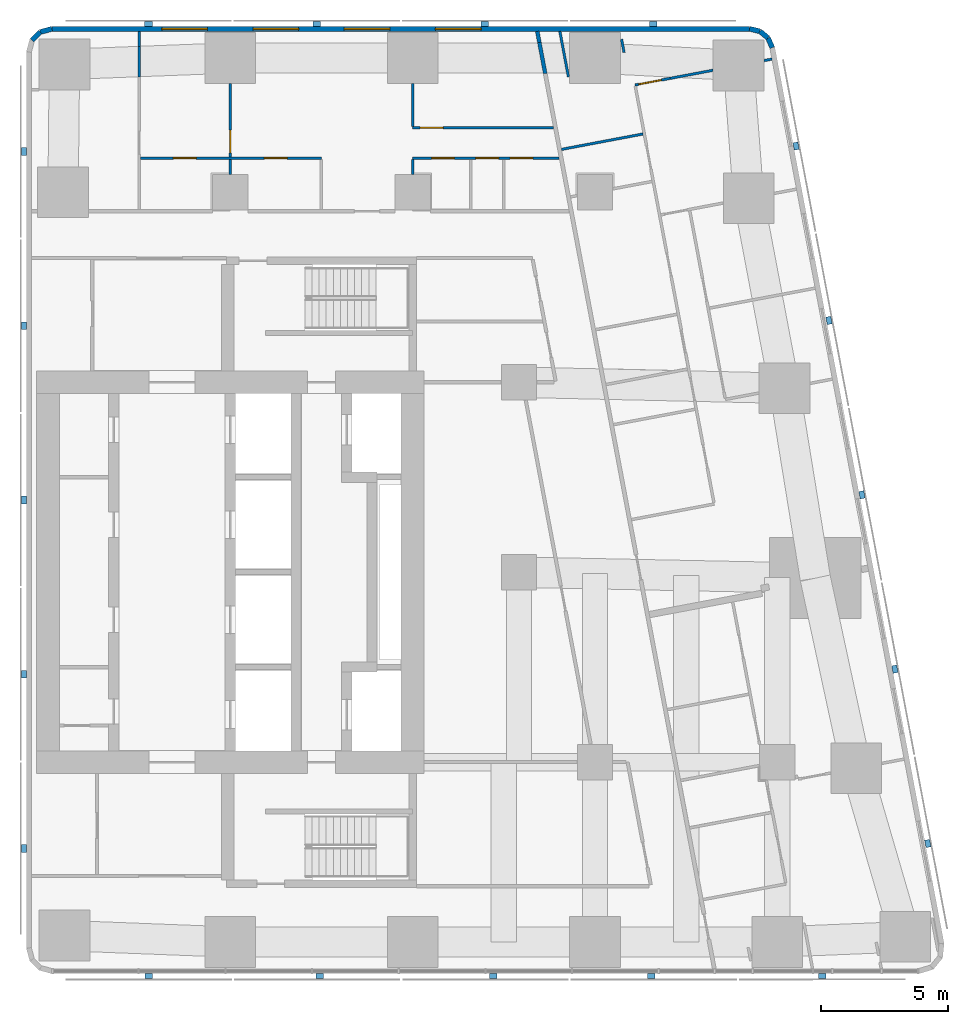
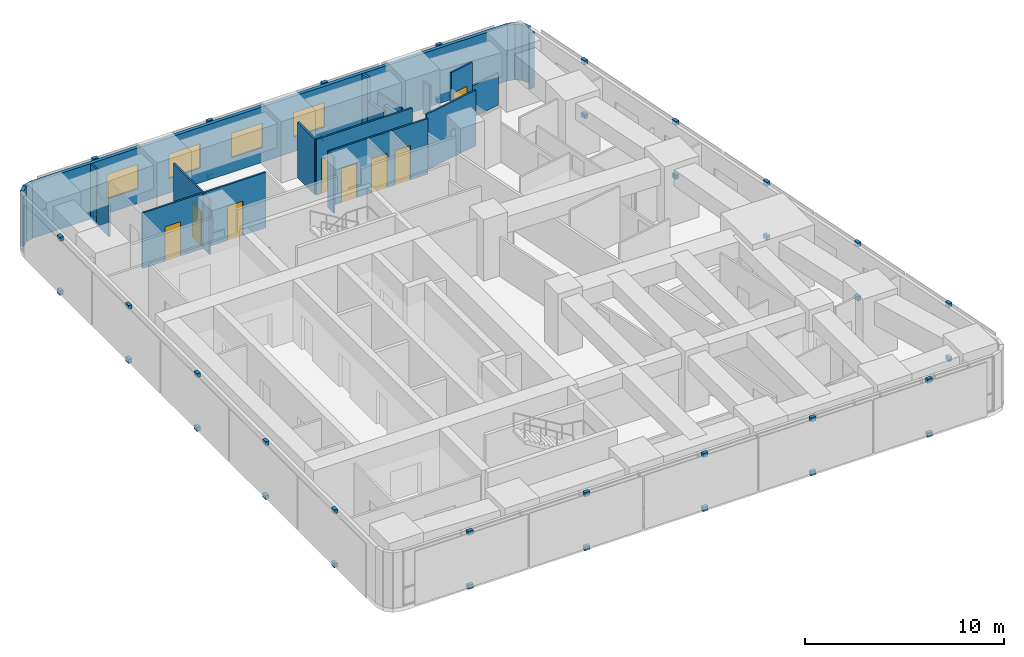
# One storey, part 8 of 10: 38 discrete accessories, 23 walls, 8 doors, 4 windows, 12 openings.
"""IFC4 building model written with IfcOpenShell, lengths in metres."""

from ifc_helpers import new_model, si_unit, direction, frame, frame_2d, origin, origin_2d, place, context, subcontext, project, spatial, rectangle, extrude, material, layer, layer_set, type_object, element, fill, save


model = new_model("IFC4")

# Units and contexts
model_context = context("Model", 3, precision=1e-05, world=origin(), true_north=direction((0.0, 1.0)))
body_context = subcontext(model_context, "Body", "Model", "MODEL_VIEW")
ifc_project = project(units=[si_unit("LENGTHUNIT", "METRE"), si_unit("AREAUNIT", "SQUARE_METRE"), si_unit("VOLUMEUNIT", "CUBIC_METRE"), si_unit("PLANEANGLEUNIT", "RADIAN"), si_unit("MASSUNIT", "GRAM", prefix="KILO")], contexts=[model_context])

# Site, building, storey
site_placement = place(None, origin())
site = spatial("IfcSite", under=ifc_project, at=site_placement, CompositionType="ELEMENT")
building_placement = place(site_placement, origin())
building = spatial("IfcBuilding", under=site, at=building_placement, Name="Sheger Commons Tower", CompositionType="ELEMENT")
storey_placement = place(building_placement, frame((0.0, 0.0, 292.85009765625)))
storey = spatial("IfcBuildingStorey", under=building, at=storey_placement, Name="L75", CompositionType="ELEMENT", Elevation=292.85009765625)

# Walls
ifc_material_1 = material(Name="Hollow concrete block masonry, skimmed both sides", Category="masonry")
ifc_layer_1 = layer(ifc_material_1, 0.14990234375)
ifc_layer_set_1 = layer_set([ifc_layer_1], Name="CORRIDOR WALL 150")
wall_type_1 = type_object("IfcWallType", Name="CORRIDOR WALL 150", PredefinedType="SOLIDWALL", material=ifc_layer_set_1)
wall_1_placement = place(storey_placement, frame((33.721923828125, 43.85009765625, 0.0), z_axis=(0.0, 0.0, 1.0), x_axis=(0.184886516626, -0.982759877066, 0.0)))
element("IfcWall", 1, at=wall_1_placement, inside=storey, type_object=wall_type_1, Name="Corridor wall L75", PredefinedType="SOLIDWALL", context=body_context, shape_type="SweptSolid", body=[
    extrude(rectangle(XDim=0.443603515625, YDim=0.14990234375, at=frame_2d((0.2216796875, 0.0))), origin(), (0.0, 0.0, 1.0), 3.39990234375),
])
wall_2_placement = place(storey_placement, frame((33.803955078125, 43.4140625, 0.0), z_axis=(0.0, 0.0, 1.0), x_axis=(0.185585816539, -0.982628060204, 0.0)))
element("IfcWall", 2, at=wall_2_placement, inside=storey, type_object=wall_type_1, Name="Corridor wall L75", PredefinedType="SOLIDWALL", context=body_context, shape_type="SweptSolid", body=[
    extrude(rectangle(XDim=1.249755859375, YDim=0.14990234375, at=frame_2d((0.625, 0.0))), origin(), (0.0, 0.0, 1.0), 1.949951171875),
])
ifc_material_2 = material(Name="Rendered concrete block masonry, dark grey", Category="masonry")
ifc_layer_2 = layer(ifc_material_2, 0.199951171875)
ifc_layer_set_2 = layer_set([ifc_layer_2], Name="FACADE WALL 200")
wall_type_2 = type_object("IfcWallType", Name="FACADE WALL 200", PredefinedType="SOLIDWALL", material=ifc_layer_set_2)
wall_3_placement = place(storey_placement, frame((43.001953125, 43.2060546875, 0.0), z_axis=(0.0, 0.0, 1.0), x_axis=(-0.40678170573, 0.913525393124, 0.0)))
element("IfcWall", 3, at=wall_3_placement, inside=storey, type_object=wall_type_2, Name="Facade wall L75", PredefinedType="SOLIDWALL", context=body_context, shape_type="SweptSolid", body=[
    extrude(rectangle(XDim=0.422607421875, YDim=0.199951171875, at=frame_2d((0.21142578125, 0.0))), origin(), (0.0, 0.0, 1.0), 3.39990234375),
])
wall_4_placement = place(storey_placement, frame((42.830078125, 43.592041015625, 0.0), z_axis=(0.0, 0.0, 1.0), x_axis=(-0.771190539797, 0.636604391539, 0.0)))
element("IfcWall", 4, at=wall_4_placement, inside=storey, type_object=wall_type_2, Name="Facade wall L75", PredefinedType="SOLIDWALL", context=body_context, shape_type="SweptSolid", body=[
    extrude(rectangle(XDim=0.409912109375, YDim=0.199951171875, at=frame_2d((0.205078125, 0.0))), origin(), (0.0, 0.0, 1.0), 3.39990234375),
])
wall_5_placement = place(storey_placement, frame((42.513916015625, 43.85302734375, 0.0), z_axis=(0.0, 0.0, 1.0), x_axis=(-0.973288080424, 0.229587265555, 0.0)))
element("IfcWall", 5, at=wall_5_placement, inside=storey, type_object=wall_type_2, Name="Facade wall L75", PredefinedType="SOLIDWALL", context=body_context, shape_type="SweptSolid", body=[
    extrude(rectangle(XDim=0.422119140625, YDim=0.199951171875, at=frame_2d((0.2109375, 0.0))), origin(), (0.0, 0.0, 1.0), 3.39990234375),
])

# Wall, openings, windows
wall_6_placement = place(storey_placement, frame((42.10302734375, 43.949951171875, 0.0), z_axis=(0.0, 0.0, 1.0), x_axis=(-1.0, 0.0, 0.0)))
wall_6 = element("IfcWall", 6, at=wall_6_placement, inside=storey, type_object=wall_type_2, Name="Facade wall L75", PredefinedType="SOLIDWALL", context=body_context, shape_type="SweptSolid", body=[
    extrude(rectangle(XDim=27.5400390625, YDim=0.199951171875, at=frame_2d((13.77001953125, 0.0))), origin(), (0.0, 0.0, 1.0), 3.39990234375),
])
opening_1_placement = place(wall_6_placement, frame((10.60302734375, 0.0, 0.89990234375)))
opening_1 = element("IfcOpeningElement", 7, at=opening_1_placement, cuts=wall_6, Name="Opening W2", PredefinedType="OPENING", context=body_context, shape_type="SweptSolid", body=[
    extrude(rectangle(XDim=1.800048828125, YDim=1.5, at=frame_2d((0.89990234375, 0.75))), frame((0.0, 0.10986328125, 0.0), z_axis=(0.0, -1.0, 0.0), x_axis=(1.0, 0.0, 0.0)), (0.0, 0.0, 1.0), 0.219970703125),
])
opening_2_placement = place(wall_6_placement, frame((14.202880859375, 0.0, 0.89990234375)))
opening_2 = element("IfcOpeningElement", 8, at=opening_2_placement, cuts=wall_6, Name="Opening W2", PredefinedType="OPENING", context=body_context, shape_type="SweptSolid", body=[
    extrude(rectangle(XDim=1.800048828125, YDim=1.5, at=frame_2d((0.89990234375, 0.75))), frame((0.0, 0.10986328125, 0.0), z_axis=(0.0, -1.0, 0.0), x_axis=(1.0, 0.0, 0.0)), (0.0, 0.0, 1.0), 0.219970703125),
])
opening_3_placement = place(wall_6_placement, frame((17.802978515625, 0.0, 0.89990234375)))
opening_3 = element("IfcOpeningElement", 9, at=opening_3_placement, cuts=wall_6, Name="Opening W2", PredefinedType="OPENING", context=body_context, shape_type="SweptSolid", body=[
    extrude(rectangle(XDim=1.800048828125, YDim=1.5, at=frame_2d((0.89990234375, 0.75))), frame((0.0, 0.10986328125, 0.0), z_axis=(0.0, -1.0, 0.0), x_axis=(1.0, 0.0, 0.0)), (0.0, 0.0, 1.0), 0.219970703125),
])
opening_4_placement = place(wall_6_placement, frame((21.403076171875, 0.0, 0.89990234375)))
opening_4 = element("IfcOpeningElement", 10, at=opening_4_placement, cuts=wall_6, Name="Opening W2", PredefinedType="OPENING", context=body_context, shape_type="SweptSolid", body=[
    extrude(rectangle(XDim=1.800048828125, YDim=1.5, at=frame_2d((0.89990234375, 0.75))), frame((0.0, 0.10986328125, 0.0), z_axis=(0.0, -1.0, 0.0), x_axis=(1.0, 0.0, 0.0)), (0.0, 0.0, 1.0), 0.219970703125),
])
ifc_material_3 = material(Name="Black aluminium frame, dark tinted double glazing", Category="aluminium")
window_type = type_object("IfcWindowType", Name="WINDOW W2 1800x1500", PartitioningType="SINGLE_PANEL", PredefinedType="WINDOW", material=ifc_material_3)
window_1_placement = place(opening_1_placement, origin())
window_1 = element("IfcWindow", 11, at=window_1_placement, inside=storey, type_object=window_type, Name="Window W2 1800X1500", OverallHeight=1.5, OverallWidth=1.800048828125, PartitioningType="SINGLE_PANEL", PredefinedType="WINDOW", context=body_context, shape_type="SweptSolid", body=[
    extrude(rectangle(XDim=1.800048828125, YDim=1.5, at=frame_2d((0.89990234375, 0.75))), frame((0.0, 0.030029296875, 0.0), z_axis=(0.0, -1.0, 0.0), x_axis=(1.0, 0.0, 0.0)), (0.0, 0.0, 1.0), 0.06005859375),
])
fill(opening_1, window_1)
window_2_placement = place(opening_2_placement, origin())
window_2 = element("IfcWindow", 12, at=window_2_placement, inside=storey, type_object=window_type, Name="Window W2 1800X1500", OverallHeight=1.5, OverallWidth=1.800048828125, PartitioningType="SINGLE_PANEL", PredefinedType="WINDOW", context=body_context, shape_type="SweptSolid", body=[
    extrude(rectangle(XDim=1.800048828125, YDim=1.5, at=frame_2d((0.89990234375, 0.75))), frame((0.0, 0.030029296875, 0.0), z_axis=(0.0, -1.0, 0.0), x_axis=(1.0, 0.0, 0.0)), (0.0, 0.0, 1.0), 0.06005859375),
])
fill(opening_2, window_2)
window_3_placement = place(opening_3_placement, origin())
window_3 = element("IfcWindow", 13, at=window_3_placement, inside=storey, type_object=window_type, Name="Window W2 1800X1500", OverallHeight=1.5, OverallWidth=1.800048828125, PartitioningType="SINGLE_PANEL", PredefinedType="WINDOW", context=body_context, shape_type="SweptSolid", body=[
    extrude(rectangle(XDim=1.800048828125, YDim=1.5, at=frame_2d((0.89990234375, 0.75))), frame((0.0, 0.030029296875, 0.0), z_axis=(0.0, -1.0, 0.0), x_axis=(1.0, 0.0, 0.0)), (0.0, 0.0, 1.0), 0.06005859375),
])
fill(opening_3, window_3)
window_4_placement = place(opening_4_placement, origin())
window_4 = element("IfcWindow", 14, at=window_4_placement, inside=storey, type_object=window_type, Name="Window W2 1800X1500", OverallHeight=1.5, OverallWidth=1.800048828125, PartitioningType="SINGLE_PANEL", PredefinedType="WINDOW", context=body_context, shape_type="SweptSolid", body=[
    extrude(rectangle(XDim=1.800048828125, YDim=1.5, at=frame_2d((0.89990234375, 0.75))), frame((0.0, 0.030029296875, 0.0), z_axis=(0.0, -1.0, 0.0), x_axis=(1.0, 0.0, 0.0)), (0.0, 0.0, 1.0), 0.06005859375),
])
fill(opening_4, window_4)

# Walls
wall_7_placement = place(storey_placement, frame((14.56298828125, 43.949951171875, 0.0), z_axis=(0.0, 0.0, 1.0), x_axis=(-0.965655254015, -0.259826731483, 0.0)))
element("IfcWall", 15, at=wall_7_placement, inside=storey, type_object=wall_type_2, Name="Facade wall L75", PredefinedType="SOLIDWALL", context=body_context, shape_type="SweptSolid", body=[
    extrude(rectangle(XDim=0.477294921875, YDim=0.199951171875, at=frame_2d((0.23876953125, 0.0))), origin(), (0.0, 0.0, 1.0), 3.39990234375),
])
wall_8_placement = place(storey_placement, frame((14.10205078125, 43.825927734375, 0.0), z_axis=(0.0, 0.0, 1.0), x_axis=(-0.707369890659, -0.706843573776, 0.0)))
element("IfcWall", 16, at=wall_8_placement, inside=storey, type_object=wall_type_2, Name="Facade wall L75", PredefinedType="SOLIDWALL", context=body_context, shape_type="SweptSolid", body=[
    extrude(rectangle(XDim=0.4638671875, YDim=0.199951171875, at=frame_2d((0.23193359375, 0.0))), origin(), (0.0, 0.0, 1.0), 3.39990234375),
])
ifc_material_4 = material(Name="Gypsum board on steel studs", Category="steel")
ifc_layer_3 = layer(ifc_material_4, 0.10009765625)
ifc_layer_set_3 = layer_set([ifc_layer_3], Name="PARTITION 100")
wall_type_3 = type_object("IfcWallType", Name="PARTITION 100", PredefinedType="PARTITIONING", material=ifc_layer_set_3)
wall_9_placement = place(storey_placement, frame((34.951904296875, 42.054931640625, 0.0), z_axis=(0.0, 0.0, 1.0), x_axis=(-0.185490642006, 0.98264603074, 0.0)))
element("IfcWall", 17, at=wall_9_placement, inside=storey, type_object=wall_type_3, Name="Partition L75", PredefinedType="PARTITIONING", context=body_context, shape_type="SweptSolid", body=[
    extrude(rectangle(XDim=1.826904296875, YDim=0.10009765625, at=frame_2d((0.91357421875, 0.0))), origin(), (0.0, 0.0, 1.0), 1.949951171875),
])
wall_10_placement = place(storey_placement, frame((37.049072265625, 43.5390625, 0.0), z_axis=(0.0, 0.0, 1.0), x_axis=(0.186119495745, -0.982527115811, 0.0)))
element("IfcWall", 18, at=wall_10_placement, inside=storey, type_object=wall_type_3, Name="Partition L75", PredefinedType="PARTITIONING", context=body_context, shape_type="SweptSolid", body=[
    extrude(rectangle(XDim=0.53125, YDim=0.10009765625, at=frame_2d((0.265625, 0.0))), origin(), (0.0, 0.0, 1.0), 1.949951171875),
])
wall_11_placement = place(storey_placement, frame((42.985107421875, 42.7548828125, 0.0), z_axis=(0.0, 0.0, 1.0), x_axis=(-0.98281924824, -0.184570651215, 0.0)))
element("IfcWall", 19, at=wall_11_placement, inside=storey, type_object=wall_type_3, Name="Partition L75", PredefinedType="PARTITIONING", context=body_context, shape_type="SweptSolid", body=[
    extrude(rectangle(XDim=0.3134765625, YDim=0.10009765625, at=frame_2d((0.15673828125, 0.0))), origin(), (0.0, 0.0, 1.0), 3.39990234375),
])
wall_12_placement = place(storey_placement, frame((40.656982421875, 42.31494140625, 0.0), z_axis=(0.0, 0.0, 1.0), x_axis=(-0.982603924403, -0.185713563715, 0.0)))
element("IfcWall", 20, at=wall_12_placement, inside=storey, type_object=wall_type_3, Name="Partition L75", PredefinedType="PARTITIONING", context=body_context, shape_type="SweptSolid", body=[
    extrude(rectangle(XDim=1.716796875, YDim=0.10009765625, at=frame_2d((0.8583984375, 0.0))), origin(), (0.0, 0.0, 1.0), 1.949951171875),
])

# Wall, opening, door
wall_13_placement = place(storey_placement, frame((38.969970703125, 41.99609375, 0.0), z_axis=(0.0, 0.0, 1.0), x_axis=(-0.982642648049, -0.185508561084, 0.0)))
wall_13 = element("IfcWall", 21, at=wall_13_placement, inside=storey, type_object=wall_type_3, Name="Partition L75", PredefinedType="PARTITIONING", context=body_context, shape_type="SweptSolid", body=[
    extrude(rectangle(XDim=1.413330078125, YDim=0.10009765625, at=frame_2d((0.70654296875, 0.0))), origin(), (0.0, 0.0, 1.0), 3.39990234375),
])
opening_5_placement = place(wall_13_placement, frame((0.363037109375, 0.0, 0.0)))
opening_5 = element("IfcOpeningElement", 22, at=opening_5_placement, cuts=wall_13, Name="Opening D2", PredefinedType="OPENING", context=body_context, shape_type="SweptSolid", body=[
    extrude(rectangle(XDim=0.89990234375, YDim=2.10009765625, at=frame_2d((0.449951171875, 1.050048828125))), frame((0.0, 0.06005859375, 0.0), z_axis=(0.0, -1.0, 0.0), x_axis=(1.0, 0.0, 0.0)), (0.0, 0.0, 1.0), 0.1201171875),
])
ifc_material_5 = material(Name="Timber door set", Category="wood")
door_type = type_object("IfcDoorType", Name="INTERNAL DOOR 900x2100", OperationType="NOTDEFINED", PredefinedType="DOOR", material=ifc_material_5)
door_1_placement = place(opening_5_placement, origin())
door_1 = element("IfcDoor", 23, at=door_1_placement, inside=storey, type_object=door_type, Name="Dressing room door", OperationType="SINGLE_SWING_LEFT", OverallHeight=2.10009765625, OverallWidth=0.89990234375, PredefinedType="DOOR", context=body_context, shape_type="SweptSolid", body=[
    extrude(rectangle(XDim=0.89990234375, YDim=2.10009765625, at=frame_2d((0.449951171875, 1.050048828125))), frame((0.0, 0.02490234375, 0.0), z_axis=(0.0, -1.0, 0.0), x_axis=(1.0, 0.0, 0.0)), (0.0, 0.0, 1.0), 0.050048828125),
])
fill(opening_5, door_1)

# Walls
wall_14_placement = place(storey_placement, frame((37.89599609375, 39.800048828125, 0.0), z_axis=(0.0, 0.0, 1.0), x_axis=(-0.982607026909, -0.185697147715, 0.0)))
element("IfcWall", 24, at=wall_14_placement, inside=storey, type_object=wall_type_3, Name="Partition L75", PredefinedType="PARTITIONING", context=body_context, shape_type="SweptSolid", body=[
    extrude(rectangle(XDim=3.27490234375, YDim=0.10009765625, at=frame_2d((1.637451171875, 0.0))), origin(), (0.0, 0.0, 1.0), 3.39990234375),
])
wall_15_placement = place(storey_placement, frame((18.0, 42.05810546875, 0.0), z_axis=(0.0, 0.0, 1.0), x_axis=(0.0, 1.0, 0.0)))
element("IfcWall", 25, at=wall_15_placement, inside=storey, type_object=wall_type_3, Name="Partition L75", PredefinedType="PARTITIONING", context=body_context, shape_type="SweptSolid", body=[
    extrude(rectangle(XDim=1.204833984375, YDim=0.10009765625, at=frame_2d((0.6025390625, 0.0))), origin(), (0.0, 0.0, 1.0), 1.949951171875),
])
wall_16_placement = place(storey_placement, frame((18.0, 43.262939453125, 0.0), z_axis=(0.0, 0.0, 1.0), x_axis=(0.0, 1.0, 0.0)))
element("IfcWall", 26, at=wall_16_placement, inside=storey, type_object=wall_type_3, Name="Partition L75", PredefinedType="PARTITIONING", context=body_context, shape_type="SweptSolid", body=[
    extrude(rectangle(XDim=0.587158203125, YDim=0.10009765625, at=frame_2d((0.29345703125, 0.0))), origin(), (0.0, 0.0, 1.0), 3.39990234375),
])

# Wall, opening, door
wall_17_placement = place(storey_placement, frame((21.60009765625, 38.89990234375, 0.0), z_axis=(0.0, 0.0, 1.0), x_axis=(0.0, 1.0, 0.0)))
wall_17 = element("IfcWall", 27, at=wall_17_placement, inside=storey, type_object=wall_type_3, Name="Partition L75", PredefinedType="PARTITIONING", context=body_context, shape_type="SweptSolid", body=[
    extrude(rectangle(XDim=2.899169921875, YDim=0.10009765625, at=frame_2d((1.44970703125, 0.0))), origin(), (0.0, 0.0, 1.0), 3.39990234375),
])
opening_6_placement = place(wall_17_placement, frame((0.14990234375, 0.0, 0.0)))
opening_6 = element("IfcOpeningElement", 28, at=opening_6_placement, cuts=wall_17, Name="Opening D2", PredefinedType="OPENING", context=body_context, shape_type="SweptSolid", body=[
    extrude(rectangle(XDim=0.89990234375, YDim=2.10009765625, at=frame_2d((0.449951171875, 1.050048828125))), frame((0.0, 0.06005859375, 0.0), z_axis=(0.0, -1.0, 0.0), x_axis=(1.0, 0.0, 0.0)), (0.0, 0.0, 1.0), 0.1201171875),
])
door_2_placement = place(opening_6_placement, origin())
door_2 = element("IfcDoor", 29, at=door_2_placement, inside=storey, type_object=door_type, Name="Main bedroom door", OperationType="SINGLE_SWING_LEFT", OverallHeight=2.10009765625, OverallWidth=0.89990234375, PredefinedType="DOOR", context=body_context, shape_type="SweptSolid", body=[
    extrude(rectangle(XDim=0.89990234375, YDim=2.10009765625, at=frame_2d((0.449951171875, 1.050048828125))), frame((0.0, 0.02490234375, 0.0), z_axis=(0.0, -1.0, 0.0), x_axis=(1.0, 0.0, 0.0)), (0.0, 0.0, 1.0), 0.050048828125),
])
fill(opening_6, door_2)

# Walls
wall_18_placement = place(storey_placement, frame((28.800048828125, 40.10009765625, 0.0), z_axis=(0.0, 0.0, 1.0), x_axis=(0.0, 1.0, 0.0)))
element("IfcWall", 30, at=wall_18_placement, inside=storey, type_object=wall_type_3, Name="Partition L75", PredefinedType="PARTITIONING", context=body_context, shape_type="SweptSolid", body=[
    extrude(rectangle(XDim=1.698974609375, YDim=0.10009765625, at=frame_2d((0.849609375, 0.0))), origin(), (0.0, 0.0, 1.0), 3.39990234375),
])
for number, where, z_axis, x_axis, name in (
    (31, (21.60009765625, 38.200927734375, 0.0), (0.0, 0.0, 1.0), (0.0, 1.0, 0.0), "Partition L75"),
    (32, (28.800048828125, 38.200927734375, 0.0), (0.0, 0.0, 1.0), (0.0, 1.0, 0.0), "Partition L75"),
):
    element("IfcWall", number, at=place(storey_placement, frame(where, z_axis=z_axis, x_axis=x_axis)), inside=storey, type_object=wall_type_3, Name=name, PredefinedType="PARTITIONING", context=body_context, shape_type="SweptSolid", body=[
        extrude(rectangle(XDim=0.59912109375, YDim=0.10009765625, at=frame_2d((0.299560546875, 0.0))), origin(), (0.0, 0.0, 1.0), 3.39990234375),
    ])

# Wall, openings, doors
wall_19_placement = place(storey_placement, frame((18.050048828125, 38.85009765625, 0.0), z_axis=(0.0, 0.0, 1.0), x_axis=(1.0, 0.0, 0.0)))
wall_19 = element("IfcWall", 33, at=wall_19_placement, inside=storey, type_object=wall_type_3, Name="Partition L75", PredefinedType="PARTITIONING", context=body_context, shape_type="SweptSolid", body=[
    extrude(rectangle(XDim=7.14990234375, YDim=0.10009765625, at=frame_2d((3.574951171875, 0.0))), origin(), (0.0, 0.0, 1.0), 3.39990234375),
])
opening_7_placement = place(wall_19_placement, frame((1.300048828125, 0.0, 0.0)))
opening_7 = element("IfcOpeningElement", 34, at=opening_7_placement, cuts=wall_19, Name="Opening D2", PredefinedType="OPENING", context=body_context, shape_type="SweptSolid", body=[
    extrude(rectangle(XDim=0.89990234375, YDim=2.10009765625, at=frame_2d((0.449951171875, 1.050048828125))), frame((0.0, 0.06005859375, 0.0), z_axis=(0.0, -1.0, 0.0), x_axis=(1.0, 0.0, 0.0)), (0.0, 0.0, 1.0), 0.1201171875),
])
opening_8_placement = place(wall_19_placement, frame((4.89990234375, 0.0, 0.0)))
opening_8 = element("IfcOpeningElement", 35, at=opening_8_placement, cuts=wall_19, Name="Opening D2", PredefinedType="OPENING", context=body_context, shape_type="SweptSolid", body=[
    extrude(rectangle(XDim=0.89990234375, YDim=2.10009765625, at=frame_2d((0.449951171875, 1.050048828125))), frame((0.0, 0.06005859375, 0.0), z_axis=(0.0, -1.0, 0.0), x_axis=(1.0, 0.0, 0.0)), (0.0, 0.0, 1.0), 0.1201171875),
])
door_3_placement = place(opening_7_placement, origin())
door_3 = element("IfcDoor", 36, at=door_3_placement, inside=storey, type_object=door_type, Name="En-suite door", OperationType="SINGLE_SWING_RIGHT", OverallHeight=2.10009765625, OverallWidth=0.89990234375, PredefinedType="DOOR", context=body_context, shape_type="SweptSolid", body=[
    extrude(rectangle(XDim=0.89990234375, YDim=2.10009765625, at=frame_2d((0.449951171875, 1.050048828125))), frame((0.0, 0.02490234375, 0.0), z_axis=(0.0, -1.0, 0.0), x_axis=(1.0, 0.0, 0.0)), (0.0, 0.0, 1.0), 0.050048828125),
])
fill(opening_7, door_3)
door_4_placement = place(opening_8_placement, origin())
door_4 = element("IfcDoor", 37, at=door_4_placement, inside=storey, type_object=door_type, Name="Kitchen door", OperationType="SINGLE_SWING_LEFT", OverallHeight=2.10009765625, OverallWidth=0.89990234375, PredefinedType="DOOR", context=body_context, shape_type="SweptSolid", body=[
    extrude(rectangle(XDim=0.89990234375, YDim=2.10009765625, at=frame_2d((0.449951171875, 1.050048828125))), frame((0.0, 0.02490234375, 0.0), z_axis=(0.0, -1.0, 0.0), x_axis=(1.0, 0.0, 0.0)), (0.0, 0.0, 1.0), 0.050048828125),
])
fill(opening_8, door_4)

wall_20_placement = place(storey_placement, frame((28.800048828125, 38.85009765625, 0.0), z_axis=(0.0, 0.0, 1.0), x_axis=(1.0, 0.0, 0.0)))
wall_20 = element("IfcWall", 38, at=wall_20_placement, inside=storey, type_object=wall_type_3, Name="Partition L75", PredefinedType="PARTITIONING", context=body_context, shape_type="SweptSolid", body=[
    extrude(rectangle(XDim=5.781005859375, YDim=0.10009765625, at=frame_2d((2.890625, 0.0))), origin(), (0.0, 0.0, 1.0), 3.39990234375),
])
opening_9_placement = place(wall_20_placement, frame((0.75, 0.0, 0.0)))
opening_9 = element("IfcOpeningElement", 39, at=opening_9_placement, cuts=wall_20, Name="Opening D2", PredefinedType="OPENING", context=body_context, shape_type="SweptSolid", body=[
    extrude(rectangle(XDim=0.89990234375, YDim=2.10009765625, at=frame_2d((0.449951171875, 1.050048828125))), frame((0.0, 0.06005859375, 0.0), z_axis=(0.0, -1.0, 0.0), x_axis=(1.0, 0.0, 0.0)), (0.0, 0.0, 1.0), 0.1201171875),
])
opening_10_placement = place(wall_20_placement, frame((2.5, 0.0, 0.0)))
opening_10 = element("IfcOpeningElement", 40, at=opening_10_placement, cuts=wall_20, Name="Opening D2", PredefinedType="OPENING", context=body_context, shape_type="SweptSolid", body=[
    extrude(rectangle(XDim=0.89990234375, YDim=2.10009765625, at=frame_2d((0.449951171875, 1.050048828125))), frame((0.0, 0.06005859375, 0.0), z_axis=(0.0, -1.0, 0.0), x_axis=(1.0, 0.0, 0.0)), (0.0, 0.0, 1.0), 0.1201171875),
])
opening_11_placement = place(wall_20_placement, frame((3.85009765625, 0.0, 0.0)))
opening_11 = element("IfcOpeningElement", 41, at=opening_11_placement, cuts=wall_20, Name="Opening D2", PredefinedType="OPENING", context=body_context, shape_type="SweptSolid", body=[
    extrude(rectangle(XDim=0.89990234375, YDim=2.10009765625, at=frame_2d((0.449951171875, 1.050048828125))), frame((0.0, 0.06005859375, 0.0), z_axis=(0.0, -1.0, 0.0), x_axis=(1.0, 0.0, 0.0)), (0.0, 0.0, 1.0), 0.1201171875),
])
door_5_placement = place(opening_9_placement, origin())
door_5 = element("IfcDoor", 42, at=door_5_placement, inside=storey, type_object=door_type, Name="Bathroom door", OperationType="SINGLE_SWING_RIGHT", OverallHeight=2.10009765625, OverallWidth=0.89990234375, PredefinedType="DOOR", context=body_context, shape_type="SweptSolid", body=[
    extrude(rectangle(XDim=0.89990234375, YDim=2.10009765625, at=frame_2d((0.449951171875, 1.050048828125))), frame((0.0, 0.02490234375, 0.0), z_axis=(0.0, -1.0, 0.0), x_axis=(1.0, 0.0, 0.0)), (0.0, 0.0, 1.0), 0.050048828125),
])
fill(opening_9, door_5)
door_6_placement = place(opening_10_placement, origin())
door_6 = element("IfcDoor", 43, at=door_6_placement, inside=storey, type_object=door_type, Name="Store door", OperationType="SINGLE_SWING_LEFT", OverallHeight=2.10009765625, OverallWidth=0.89990234375, PredefinedType="DOOR", context=body_context, shape_type="SweptSolid", body=[
    extrude(rectangle(XDim=0.89990234375, YDim=2.10009765625, at=frame_2d((0.449951171875, 1.050048828125))), frame((0.0, 0.02490234375, 0.0), z_axis=(0.0, -1.0, 0.0), x_axis=(1.0, 0.0, 0.0)), (0.0, 0.0, 1.0), 0.050048828125),
])
fill(opening_10, door_6)
door_7_placement = place(opening_11_placement, origin())
door_7 = element("IfcDoor", 44, at=door_7_placement, inside=storey, type_object=door_type, Name="Linen store door", OperationType="SINGLE_SWING_RIGHT", OverallHeight=2.10009765625, OverallWidth=0.89990234375, PredefinedType="DOOR", context=body_context, shape_type="SweptSolid", body=[
    extrude(rectangle(XDim=0.89990234375, YDim=2.10009765625, at=frame_2d((0.449951171875, 1.050048828125))), frame((0.0, 0.02490234375, 0.0), z_axis=(0.0, -1.0, 0.0), x_axis=(1.0, 0.0, 0.0)), (0.0, 0.0, 1.0), 0.050048828125),
])
fill(opening_11, door_7)

# Wall, opening, door
wall_21_placement = place(storey_placement, frame((28.800048828125, 40.050048828125, 0.0), z_axis=(0.0, 0.0, 1.0), x_axis=(1.0, 0.0, 0.0)))
wall_21 = element("IfcWall", 45, at=wall_21_placement, inside=storey, type_object=wall_type_3, Name="Partition L75", PredefinedType="PARTITIONING", context=body_context, shape_type="SweptSolid", body=[
    extrude(rectangle(XDim=5.553955078125, YDim=0.10009765625, at=frame_2d((2.77685546875, 0.0))), origin(), (0.0, 0.0, 1.0), 3.39990234375),
])
opening_12_placement = place(wall_21_placement, frame((0.300048828125, 0.0, 0.0)))
opening_12 = element("IfcOpeningElement", 46, at=opening_12_placement, cuts=wall_21, Name="Opening D2", PredefinedType="OPENING", context=body_context, shape_type="SweptSolid", body=[
    extrude(rectangle(XDim=0.89990234375, YDim=2.10009765625, at=frame_2d((0.449951171875, 1.050048828125))), frame((0.0, 0.06005859375, 0.0), z_axis=(0.0, -1.0, 0.0), x_axis=(1.0, 0.0, 0.0)), (0.0, 0.0, 1.0), 0.1201171875),
])
door_8_placement = place(opening_12_placement, origin())
door_8 = element("IfcDoor", 47, at=door_8_placement, inside=storey, type_object=door_type, Name="Bedroom 2 door", OperationType="SINGLE_SWING_LEFT", OverallHeight=2.10009765625, OverallWidth=0.89990234375, PredefinedType="DOOR", context=body_context, shape_type="SweptSolid", body=[
    extrude(rectangle(XDim=0.89990234375, YDim=2.10009765625, at=frame_2d((0.449951171875, 1.050048828125))), frame((0.0, 0.02490234375, 0.0), z_axis=(0.0, -1.0, 0.0), x_axis=(1.0, 0.0, 0.0)), (0.0, 0.0, 1.0), 0.050048828125),
])
fill(opening_12, door_8)

# Discrete accessories
ifc_material_6 = material(Name="Black painted steel bracket", Category="steel")
discrete_accessory_type = type_object("IfcDiscreteAccessoryType", Name="SCREEN BRACKET 300x200x250", PredefinedType="BRACKET", material=ifc_material_6)
for number, where, z_axis, x_axis, name in (
    (48, (18.375, 6.550048828125, -0.10009765625), (0.0, 0.0, 1.0), (1.0, 0.0, 0.0), "Solar screen foot bracket"),
    (49, (18.375, 6.550048828125, 3.199951171875), (0.0, 0.0, 1.0), (1.0, 0.0, 0.0), "Solar screen head bracket"),
    (50, (25.1259765625, 6.550048828125, -0.10009765625), (0.0, 0.0, 1.0), (1.0, 0.0, 0.0), "Solar screen foot bracket"),
    (51, (25.1259765625, 6.550048828125, 3.199951171875), (0.0, 0.0, 1.0), (1.0, 0.0, 0.0), "Solar screen head bracket"),
    (52, (31.97607421875, 6.550048828125, -0.10009765625), (0.0, 0.0, 1.0), (1.0, 0.0, 0.0), "Solar screen foot bracket"),
    (53, (31.97607421875, 6.550048828125, 3.199951171875), (0.0, 0.0, 1.0), (1.0, 0.0, 0.0), "Solar screen head bracket"),
    (54, (38.22607421875, 6.550048828125, -0.10009765625), (0.0, 0.0, 1.0), (1.0, 0.0, 0.0), "Solar screen foot bracket"),
    (55, (38.22607421875, 6.550048828125, 3.199951171875), (0.0, 0.0, 1.0), (1.0, 0.0, 0.0), "Solar screen head bracket"),
    (56, (44.97705078125, 6.550048828125, -0.10009765625), (0.0, 0.0, 1.0), (1.0, 0.0, 0.0), "Solar screen foot bracket"),
    (57, (44.97705078125, 6.550048828125, 3.199951171875), (0.0, 0.0, 1.0), (1.0, 0.0, 0.0), "Solar screen head bracket"),
    (58, (49.139892578125, 11.7880859375, -0.10009765625), (0.0, 0.0, 1.0), (-0.185615165645, 0.982622516678, 0.0), "Solar screen foot bracket"),
    (59, (49.139892578125, 11.7880859375, 3.199951171875), (0.0, 0.0, 1.0), (-0.185615165645, 0.982622516678, 0.0), "Solar screen head bracket"),
    (60, (47.840087890625, 18.6708984375, -0.10009765625), (0.0, 0.0, 1.0), (-0.185615165645, 0.982622516678, 0.0), "Solar screen foot bracket"),
    (61, (47.840087890625, 18.6708984375, 3.199951171875), (0.0, 0.0, 1.0), (-0.185615165645, 0.982622516678, 0.0), "Solar screen head bracket"),
    (62, (46.5400390625, 25.554931640625, -0.10009765625), (0.0, 0.0, 1.0), (-0.185615165645, 0.982622516678, 0.0), "Solar screen foot bracket"),
    (63, (46.5400390625, 25.554931640625, 3.199951171875), (0.0, 0.0, 1.0), (-0.185615165645, 0.982622516678, 0.0), "Solar screen head bracket"),
    (64, (45.239013671875, 32.43798828125, -0.10009765625), (0.0, 0.0, 1.0), (-0.185615165645, 0.982622516678, 0.0), "Solar screen foot bracket"),
    (65, (45.239013671875, 32.43798828125, 3.199951171875), (0.0, 0.0, 1.0), (-0.185615165645, 0.982622516678, 0.0), "Solar screen head bracket"),
    (66, (43.93896484375, 39.322021484375, -0.10009765625), (0.0, 0.0, 1.0), (-0.185615165645, 0.982622516678, 0.0), "Solar screen foot bracket"),
    (67, (43.93896484375, 39.322021484375, 3.199951171875), (0.0, 0.0, 1.0), (-0.185615165645, 0.982622516678, 0.0), "Solar screen head bracket"),
    (68, (38.2939453125, 44.14990234375, -0.10009765625), (0.0, 0.0, 1.0), (-1.0, 0.0, 0.0), "Solar screen foot bracket"),
    (69, (38.2939453125, 44.14990234375, 3.199951171875), (0.0, 0.0, 1.0), (-1.0, 0.0, 0.0), "Solar screen head bracket"),
    (70, (31.653076171875, 44.14990234375, -0.10009765625), (0.0, 0.0, 1.0), (-1.0, 0.0, 0.0), "Solar screen foot bracket"),
    (71, (31.653076171875, 44.14990234375, 3.199951171875), (0.0, 0.0, 1.0), (-1.0, 0.0, 0.0), "Solar screen head bracket"),
    (72, (25.011962890625, 44.14990234375, -0.10009765625), (0.0, 0.0, 1.0), (-1.0, 0.0, 0.0), "Solar screen foot bracket"),
    (73, (25.011962890625, 44.14990234375, 3.199951171875), (0.0, 0.0, 1.0), (-1.0, 0.0, 0.0), "Solar screen head bracket"),
    (74, (18.37109375, 44.14990234375, -0.10009765625), (0.0, 0.0, 1.0), (-1.0, 0.0, 0.0), "Solar screen foot bracket"),
    (75, (18.37109375, 44.14990234375, 3.199951171875), (0.0, 0.0, 1.0), (-1.0, 0.0, 0.0), "Solar screen head bracket"),
    (76, (13.449951171875, 39.110107421875, -0.10009765625), (0.0, 0.0, 1.0), (0.0, -1.0, 0.0), "Solar screen foot bracket"),
    (77, (13.449951171875, 39.110107421875, 3.199951171875), (0.0, 0.0, 1.0), (0.0, -1.0, 0.0), "Solar screen head bracket"),
    (78, (13.449951171875, 32.22998046875, -0.10009765625), (0.0, 0.0, 1.0), (0.0, -1.0, 0.0), "Solar screen foot bracket"),
    (79, (13.449951171875, 32.22998046875, 3.199951171875), (0.0, 0.0, 1.0), (0.0, -1.0, 0.0), "Solar screen head bracket"),
    (80, (13.449951171875, 25.35009765625, -0.10009765625), (0.0, 0.0, 1.0), (0.0, -1.0, 0.0), "Solar screen foot bracket"),
    (81, (13.449951171875, 25.35009765625, 3.199951171875), (0.0, 0.0, 1.0), (0.0, -1.0, 0.0), "Solar screen head bracket"),
    (82, (13.449951171875, 18.469970703125, -0.10009765625), (0.0, 0.0, 1.0), (0.0, -1.0, 0.0), "Solar screen foot bracket"),
    (83, (13.449951171875, 18.469970703125, 3.199951171875), (0.0, 0.0, 1.0), (0.0, -1.0, 0.0), "Solar screen head bracket"),
    (84, (13.449951171875, 11.590087890625, -0.10009765625), (0.0, 0.0, 1.0), (0.0, -1.0, 0.0), "Solar screen foot bracket"),
    (85, (13.449951171875, 11.590087890625, 3.199951171875), (0.0, 0.0, 1.0), (0.0, -1.0, 0.0), "Solar screen head bracket"),
):
    element("IfcDiscreteAccessory", number, at=place(storey_placement, frame(where, z_axis=z_axis, x_axis=x_axis)), inside=storey, type_object=discrete_accessory_type, Name=name, PredefinedType="BRACKET", context=body_context, shape_type="SweptSolid", body=[
        extrude(rectangle(XDim=0.300048828125, YDim=0.199951171875, at=origin_2d()), origin(), (0.0, 0.0, 1.0), 0.25),
    ])

save(model, "model.ifc")
